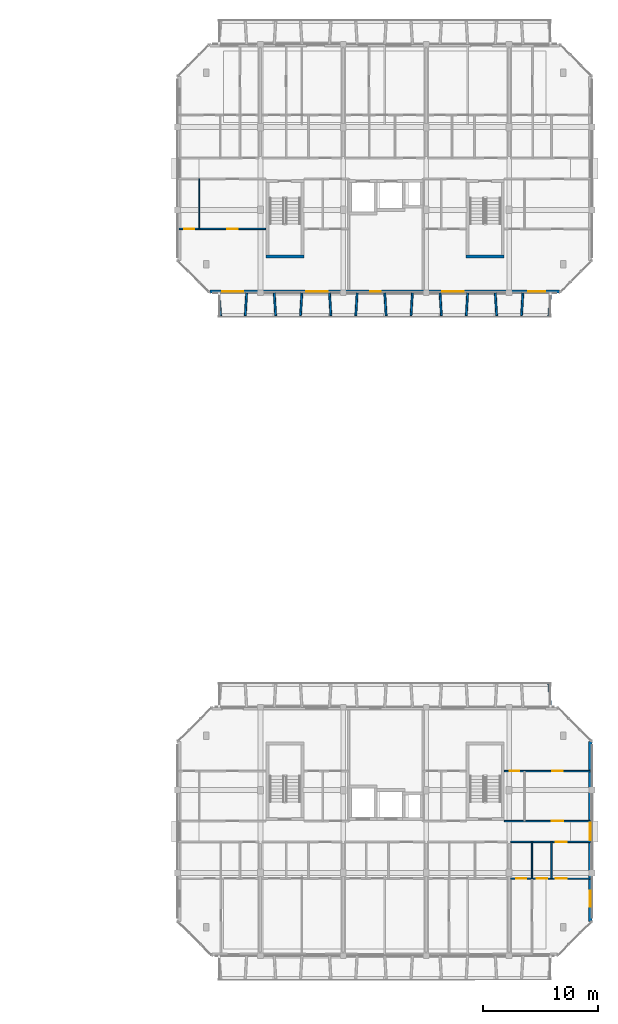
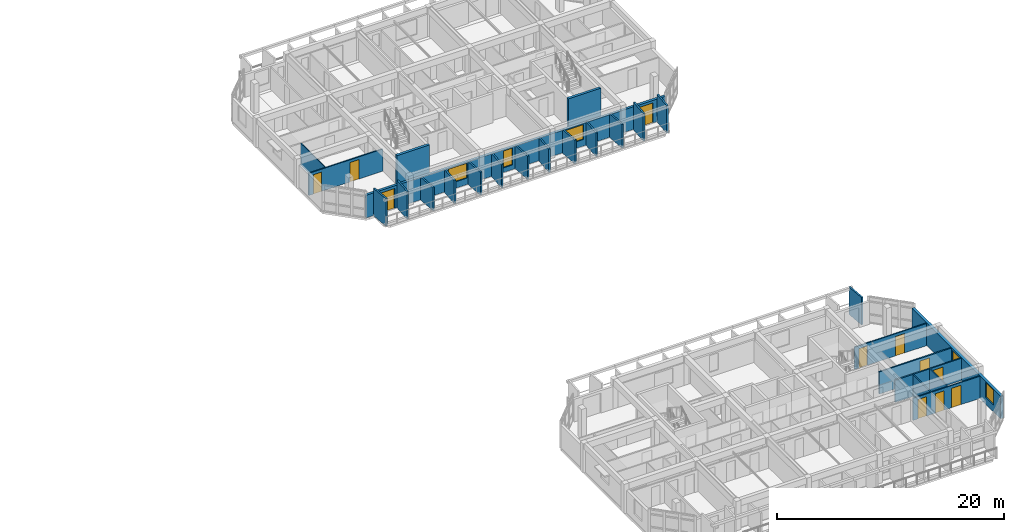
# One storey, part 27 of 46: 26 walls, 11 doors, 5 windows, 16 openings.
"""IFC4 building model written with IfcOpenShell, lengths in metres."""

from ifc_helpers import new_model, si_unit, direction, frame, frame_2d, origin, place, context, subcontext, project, spatial, rectangle, extrude, material, layer, layer_set, type_object, element, fill, save


model = new_model("IFC4")

# Units and contexts
model_context = context("Model", 3, precision=1e-05, world=origin(), true_north=direction((0.0, 1.0)))
body_context = subcontext(model_context, "Body", "Model", "MODEL_VIEW")
ifc_project = project(units=[si_unit("LENGTHUNIT", "METRE"), si_unit("AREAUNIT", "SQUARE_METRE"), si_unit("VOLUMEUNIT", "CUBIC_METRE"), si_unit("PLANEANGLEUNIT", "RADIAN"), si_unit("MASSUNIT", "GRAM", prefix="KILO")], contexts=[model_context])

# Site, building, storey
site_placement = place(None, origin())
site = spatial("IfcSite", under=ifc_project, at=site_placement, CompositionType="ELEMENT")
building_placement = place(site_placement, origin())
building = spatial("IfcBuilding", under=site, at=building_placement, Name="Ochrevale Crest", CompositionType="ELEMENT")
storey_placement = place(building_placement, frame((0.0, 0.0, 24.449951171875)))
storey = spatial("IfcBuildingStorey", under=building, at=storey_placement, Name="L07", CompositionType="ELEMENT", Elevation=24.449951171875)

# Wall, opening, door
ifc_material_1 = material(Name="Gypsum plasterboard", Category="gypsum")
ifc_layer_1 = layer(ifc_material_1, 0.139892578125)
ifc_layer_set_1 = layer_set([ifc_layer_1], Name="Gypsum plasterboard")
wall_type_1 = type_object("IfcWallType", Name="WL-COR-140", PredefinedType="PARTITIONING", material=ifc_layer_set_1)
wall_1_placement = place(storey_placement, frame((158.5400390625, 24.300048828125, 0.0), z_axis=(0.0, 0.0, 1.0), x_axis=(1.0, 0.0, 0.0)))
wall_1 = element("IfcWall", 1, at=wall_1_placement, inside=storey, type_object=wall_type_1, Name="Apartment C-L07-U5 corridor wall", PredefinedType="PARTITIONING", context=body_context, shape_type="SweptSolid", body=[
    extrude(rectangle(XDim=6.919921875, YDim=0.139892578125, at=frame_2d((3.4599609375, 0.0))), origin(), (0.0, 0.0, 1.0), 2.380126953125),
])
opening_1_placement = place(wall_1_placement, frame((4.875, 0.0, 0.0), z_axis=(0.0, 0.0, 1.0), x_axis=(-1.0, 0.0, 0.0)))
opening_1 = element("IfcOpeningElement", 2, at=opening_1_placement, cuts=wall_1, Name="Opening FD01", PredefinedType="OPENING", context=body_context, shape_type="SweptSolid", body=[
    extrude(rectangle(XDim=0.97998046875, YDim=2.10009765625, at=frame_2d((0.489990234375, 1.050048828125))), frame((0.0, 0.080078125, 0.0), z_axis=(0.0, -1.0, 0.0), x_axis=(1.0, 0.0, 0.0)), (0.0, 0.0, 1.0), 0.159912109375),
])
ifc_material_2 = material(Name="Solid-core FSC hardwood", Category="wood")
door_type_1 = type_object("IfcDoorType", Name="DR-APT-950", OperationType="NOTDEFINED", PredefinedType="DOOR", material=ifc_material_2)
door_1_placement = place(opening_1_placement, origin())
door_1 = element("IfcDoor", 3, at=door_1_placement, inside=storey, type_object=door_type_1, Name="Apartment C-L07-U5 entrance door", OperationType="SINGLE_SWING_RIGHT", OverallHeight=2.10009765625, OverallWidth=0.97998046875, PredefinedType="DOOR", context=body_context, shape_type="SweptSolid", body=[
    extrude(rectangle(XDim=0.97998046875, YDim=2.10009765625, at=frame_2d((0.489990234375, 1.050048828125))), frame((0.0, 0.02490234375, 0.0), z_axis=(0.0, -1.0, 0.0), x_axis=(1.0, 0.0, 0.0)), (0.0, 0.0, 1.0), 0.050048828125),
])
fill(opening_1, door_1)

wall_2_placement = place(storey_placement, frame((157.989990234375, 26.10009765625, 0.0), z_axis=(0.0, 0.0, 1.0), x_axis=(1.0, 0.0, 0.0)))
wall_2 = element("IfcWall", 4, at=wall_2_placement, inside=storey, type_object=wall_type_1, Name="Suite C-L07-CE corridor wall", PredefinedType="PARTITIONING", context=body_context, shape_type="SweptSolid", body=[
    extrude(rectangle(XDim=7.469970703125, YDim=0.139892578125, at=frame_2d((3.73486328125, 0.0))), origin(), (0.0, 0.0, 1.0), 2.380126953125),
])
opening_2_placement = place(wall_2_placement, frame((5.10009765625, 0.0, 0.0), z_axis=(0.0, 0.0, 1.0), x_axis=(-1.0, 0.0, 0.0)))
opening_2 = element("IfcOpeningElement", 5, at=opening_2_placement, cuts=wall_2, Name="Opening FD01", PredefinedType="OPENING", context=body_context, shape_type="SweptSolid", body=[
    extrude(rectangle(XDim=0.97998046875, YDim=2.10009765625, at=frame_2d((0.489990234375, 1.050048828125))), frame((0.0, 0.080078125, 0.0), z_axis=(0.0, -1.0, 0.0), x_axis=(1.0, 0.0, 0.0)), (0.0, 0.0, 1.0), 0.159912109375),
])
door_2_placement = place(opening_2_placement, origin())
door_2 = element("IfcDoor", 6, at=door_2_placement, inside=storey, type_object=door_type_1, Name="Suite C-L07-CE entrance door", OperationType="SINGLE_SWING_RIGHT", OverallHeight=2.10009765625, OverallWidth=0.97998046875, PredefinedType="DOOR", context=body_context, shape_type="SweptSolid", body=[
    extrude(rectangle(XDim=0.97998046875, YDim=2.10009765625, at=frame_2d((0.489990234375, 1.050048828125))), frame((0.0, 0.02490234375, 0.0), z_axis=(0.0, -1.0, 0.0), x_axis=(1.0, 0.0, 0.0)), (0.0, 0.0, 1.0), 0.050048828125),
])
fill(opening_2, door_2)

# Walls
ifc_material_3 = material(Name="Precast concrete C50/60", Category="concrete")
ifc_layer_2 = layer(ifc_material_3, 0.2548828125)
ifc_layer_set_2 = layer_set([ifc_layer_2], Name="Precast concrete C50/60")
wall_type_2 = type_object("IfcWallType", Name="WL-CORE-255", PredefinedType="SHEAR", material=ifc_layer_set_2)
for number, where, z_axis, x_axis, name in (
    (7, (137.2724609375, 75.14990234375, 0.0), (0.0, 0.0, 1.0), (1.0, 0.0, 0.0), "Block D L07 Stair 1 precast core shear wall S"),
    (8, (154.672607421875, 75.14990234375, 0.0), (0.0, 0.0, 1.0), (1.0, 0.0, 0.0), "Block D L07 Stair 2 precast core shear wall S"),
):
    element("IfcWall", number, at=place(storey_placement, frame(where, z_axis=z_axis, x_axis=x_axis)), inside=storey, type_object=wall_type_2, Name=name, PredefinedType="SHEAR", context=body_context, shape_type="SweptSolid", body=[
        extrude(rectangle(XDim=3.304931640625, YDim=0.2548828125, at=frame_2d((1.65234375, 0.0))), origin(), (0.0, 0.0, 1.0), 3.150146484375),
    ])

# Wall, openings, windows
ifc_material_4 = material(Name="Clay face brickwork", Category="masonry")
ifc_layer_3 = layer(ifc_material_4, 0.2900390625)
ifc_layer_set_3 = layer_set([ifc_layer_3], Name="Clay face brickwork")
wall_type_3 = type_object("IfcWallType", Name="WL-EXT-BRICK-290", PredefinedType="SOLIDWALL", material=ifc_layer_set_3)
wall_3_placement = place(storey_placement, frame((165.455078125, 17.39990234375, 0.0), z_axis=(0.0, 0.0, 1.0), x_axis=(0.0, 1.0, 0.0)))
wall_3 = element("IfcWall", 9, at=wall_3_placement, inside=storey, type_object=wall_type_3, Name="Block C L07 external facade wall E3", PredefinedType="SOLIDWALL", context=body_context, shape_type="SweptSolid", body=[
    extrude(rectangle(XDim=15.60009765625, YDim=0.2900390625, at=frame_2d((7.800048828125, 0.0))), origin(), (0.0, 0.0, 1.0), 2.429931640625),
])
opening_3_placement = place(wall_3_placement, frame((7.050048828125, 0.0, 1.050048828125)))
opening_3 = element("IfcOpeningElement", 10, at=opening_3_placement, cuts=wall_3, Name="Opening W18", PredefinedType="OPENING", context=body_context, shape_type="SweptSolid", body=[
    extrude(rectangle(XDim=1.5, YDim=1.14990234375, at=frame_2d((0.75, 0.574951171875))), frame((0.0, 0.155029296875, 0.0), z_axis=(0.0, -1.0, 0.0), x_axis=(1.0, 0.0, 0.0)), (0.0, 0.0, 1.0), 0.31005859375),
])
opening_4_placement = place(wall_3_placement, frame((1.2548828125, 0.0, 0.719970703125)))
opening_4 = element("IfcOpeningElement", 11, at=opening_4_placement, cuts=wall_3, Name="Opening W31", PredefinedType="OPENING", context=body_context, shape_type="SweptSolid", body=[
    extrude(rectangle(XDim=1.419921875, YDim=1.60009765625, at=frame_2d((0.7099609375, 0.800048828125))), frame((0.0, 0.155029296875, 0.0), z_axis=(0.0, -1.0, 0.0), x_axis=(1.0, 0.0, 0.0)), (0.0, 0.0, 1.0), 0.31005859375),
])
ifc_material_5 = material(Name="Anodised aluminium 6063-T5 and low-E double glazing", Category="aluminium")
window_type_1 = type_object("IfcWindowType", Name="WIN-W18", PartitioningType="SINGLE_PANEL", PredefinedType="WINDOW", material=ifc_material_5)
window_1_placement = place(opening_3_placement, origin())
window_1 = element("IfcWindow", 12, at=window_1_placement, inside=storey, type_object=window_type_1, Name="Block C L07 corridor end daylight window E", OverallHeight=1.14990234375, OverallWidth=1.5, PartitioningType="SINGLE_PANEL", PredefinedType="WINDOW", context=body_context, shape_type="SweptSolid", body=[
    extrude(rectangle(XDim=1.5, YDim=1.14990234375, at=frame_2d((0.75, 0.574951171875))), frame((0.0, 0.030029296875, 0.0), z_axis=(0.0, -1.0, 0.0), x_axis=(1.0, 0.0, 0.0)), (0.0, 0.0, 1.0), 0.06005859375),
])
fill(opening_3, window_1)
window_type_2 = type_object("IfcWindowType", Name="WIN-W31", PartitioningType="SINGLE_PANEL", PredefinedType="WINDOW", material=ifc_material_5)
window_2_placement = place(opening_4_placement, origin())
window_2 = element("IfcWindow", 13, at=window_2_placement, inside=storey, type_object=window_type_2, Name="Block C L07 side suite window E", OverallHeight=1.60009765625, OverallWidth=1.419921875, PartitioningType="SINGLE_PANEL", PredefinedType="WINDOW", context=body_context, shape_type="SweptSolid", body=[
    extrude(rectangle(XDim=1.419921875, YDim=1.60009765625, at=frame_2d((0.7099609375, 0.800048828125))), frame((0.0, 0.030029296875, 0.0), z_axis=(0.0, -1.0, 0.0), x_axis=(1.0, 0.0, 0.0)), (0.0, 0.0, 1.0), 0.06005859375),
])
fill(opening_4, window_2)

# Wall, openings, doors, windows
ifc_material_6 = material(Name="Precast concrete C40/50", Category="concrete")
ifc_layer_4 = layer(ifc_material_6, 0.25)
ifc_layer_set_4 = layer_set([ifc_layer_4], Name="Precast concrete C40/50")
wall_type_4 = type_object("IfcWallType", Name="WL-EXT-GOLD-250", PredefinedType="SOLIDWALL", material=ifc_layer_set_4)
wall_4_placement = place(storey_placement, frame((132.39990234375, 72.125, 0.0), z_axis=(0.0, 0.0, 1.0), x_axis=(1.0, 0.0, 0.0)))
wall_4 = element("IfcWall", 14, at=wall_4_placement, inside=storey, type_object=wall_type_4, Name="Block D L07 external facade wall E1", PredefinedType="SOLIDWALL", context=body_context, shape_type="SweptSolid", body=[
    extrude(rectangle(XDim=30.400146484375, YDim=0.25, at=frame_2d((15.2001953125, 0.0))), origin(), (0.0, 0.0, 1.0), 2.429931640625),
])
opening_5_placement = place(wall_4_placement, frame((2.900146484375, 0.0, 0.0), z_axis=(0.0, 0.0, 1.0), x_axis=(-1.0, 0.0, 0.0)))
opening_5 = element("IfcOpeningElement", 15, at=opening_5_placement, cuts=wall_4, Name="Opening BD03", PredefinedType="OPENING", context=body_context, shape_type="SweptSolid", body=[
    extrude(rectangle(XDim=1.800048828125, YDim=2.14990234375, at=frame_2d((0.89990234375, 1.074951171875))), frame((0.0, 0.135009765625, 0.0), z_axis=(0.0, -1.0, 0.0), x_axis=(1.0, 0.0, 0.0)), (0.0, 0.0, 1.0), 0.27001953125),
])
opening_6_placement = place(wall_4_placement, frame((29.14990234375, 0.0, 0.0), z_axis=(0.0, 0.0, 1.0), x_axis=(-1.0, 0.0, 0.0)))
opening_6 = element("IfcOpeningElement", 16, at=opening_6_placement, cuts=wall_4, Name="Opening BD01", PredefinedType="OPENING", context=body_context, shape_type="SweptSolid", body=[
    extrude(rectangle(XDim=1.5, YDim=2.14990234375, at=frame_2d((0.75, 1.074951171875))), frame((0.0, 0.135009765625, 0.0), z_axis=(0.0, -1.0, 0.0), x_axis=(1.0, 0.0, 0.0)), (0.0, 0.0, 1.0), 0.27001953125),
])
opening_7_placement = place(wall_4_placement, frame((13.945068359375, 0.0, 0.5)))
opening_7 = element("IfcOpeningElement", 17, at=opening_7_placement, cuts=wall_4, Name="Opening W17", PredefinedType="OPENING", context=body_context, shape_type="SweptSolid", body=[
    extrude(rectangle(XDim=0.89990234375, YDim=1.800048828125, at=frame_2d((0.449951171875, 0.89990234375))), frame((0.0, 0.135009765625, 0.0), z_axis=(0.0, -1.0, 0.0), x_axis=(1.0, 0.0, 0.0)), (0.0, 0.0, 1.0), 0.27001953125),
])
opening_8_placement = place(wall_4_placement, frame((20.195068359375, 0.0, 0.699951171875)))
opening_8 = element("IfcOpeningElement", 18, at=opening_8_placement, cuts=wall_4, Name="Opening W11", PredefinedType="OPENING", context=body_context, shape_type="SweptSolid", body=[
    extrude(rectangle(XDim=1.860107421875, YDim=1.60009765625, at=frame_2d((0.93017578125, 0.800048828125))), frame((0.0, 0.135009765625, 0.0), z_axis=(0.0, -1.0, 0.0), x_axis=(1.0, 0.0, 0.0)), (0.0, 0.0, 1.0), 0.27001953125),
])
opening_9_placement = place(wall_4_placement, frame((8.3701171875, 0.0, 0.699951171875)))
opening_9 = element("IfcOpeningElement", 19, at=opening_9_placement, cuts=wall_4, Name="Opening W11", PredefinedType="OPENING", context=body_context, shape_type="SweptSolid", body=[
    extrude(rectangle(XDim=1.860107421875, YDim=1.60009765625, at=frame_2d((0.93017578125, 0.800048828125))), frame((0.0, 0.135009765625, 0.0), z_axis=(0.0, -1.0, 0.0), x_axis=(1.0, 0.0, 0.0)), (0.0, 0.0, 1.0), 0.27001953125),
])
ifc_material_7 = material(Name="Anodised aluminium 6063-T5 and toughened glass", Category="aluminium")
door_type_2 = type_object("IfcDoorType", Name="DR-BAL-1500", OperationType="NOTDEFINED", PredefinedType="DOOR", material=ifc_material_7)
door_3_placement = place(opening_6_placement, origin())
door_3 = element("IfcDoor", 20, at=door_3_placement, inside=storey, type_object=door_type_2, Name="Block D L07 balcony door S5", OperationType="SINGLE_SWING_RIGHT", OverallHeight=2.14990234375, OverallWidth=1.5, PredefinedType="DOOR", context=body_context, shape_type="SweptSolid", body=[
    extrude(rectangle(XDim=1.5, YDim=2.14990234375, at=frame_2d((0.75, 1.074951171875))), frame((0.0, 0.02490234375, 0.0), z_axis=(0.0, -1.0, 0.0), x_axis=(1.0, 0.0, 0.0)), (0.0, 0.0, 1.0), 0.050048828125),
])
fill(opening_6, door_3)
door_type_3 = type_object("IfcDoorType", Name="DR-BAL-1800", OperationType="NOTDEFINED", PredefinedType="DOOR", material=ifc_material_7)
door_4_placement = place(opening_5_placement, origin())
door_4 = element("IfcDoor", 21, at=door_4_placement, inside=storey, type_object=door_type_3, Name="Block D L07 balcony door S1", OperationType="SINGLE_SWING_LEFT", OverallHeight=2.14990234375, OverallWidth=1.800048828125, PredefinedType="DOOR", context=body_context, shape_type="SweptSolid", body=[
    extrude(rectangle(XDim=1.800048828125, YDim=2.14990234375, at=frame_2d((0.89990234375, 1.074951171875))), frame((0.0, 0.02490234375, 0.0), z_axis=(0.0, -1.0, 0.0), x_axis=(1.0, 0.0, 0.0)), (0.0, 0.0, 1.0), 0.050048828125),
])
fill(opening_5, door_4)
window_type_3 = type_object("IfcWindowType", Name="WIN-W11", PartitioningType="SINGLE_PANEL", PredefinedType="WINDOW", material=ifc_material_5)
window_3_placement = place(opening_8_placement, origin())
window_3 = element("IfcWindow", 22, at=window_3_placement, inside=storey, type_object=window_type_3, Name="Block D L07 Suite D-L07-ME Garden Alcove Studio window", OverallHeight=1.60009765625, OverallWidth=1.860107421875, PartitioningType="SINGLE_PANEL", PredefinedType="WINDOW", context=body_context, shape_type="SweptSolid", body=[
    extrude(rectangle(XDim=1.860107421875, YDim=1.60009765625, at=frame_2d((0.93017578125, 0.800048828125))), frame((0.0, 0.030029296875, 0.0), z_axis=(0.0, -1.0, 0.0), x_axis=(1.0, 0.0, 0.0)), (0.0, 0.0, 1.0), 0.06005859375),
])
fill(opening_8, window_3)
window_4_placement = place(opening_9_placement, origin())
window_4 = element("IfcWindow", 23, at=window_4_placement, inside=storey, type_object=window_type_3, Name="Block D L07 Suite D-L07-MW Courtyard Studio Living window", OverallHeight=1.60009765625, OverallWidth=1.860107421875, PartitioningType="SINGLE_PANEL", PredefinedType="WINDOW", context=body_context, shape_type="SweptSolid", body=[
    extrude(rectangle(XDim=1.860107421875, YDim=1.60009765625, at=frame_2d((0.93017578125, 0.800048828125))), frame((0.0, 0.030029296875, 0.0), z_axis=(0.0, -1.0, 0.0), x_axis=(1.0, 0.0, 0.0)), (0.0, 0.0, 1.0), 0.06005859375),
])
fill(opening_9, window_4)
window_type_4 = type_object("IfcWindowType", Name="WIN-W17", PartitioningType="SINGLE_PANEL", PredefinedType="WINDOW", material=ifc_material_5)
window_5_placement = place(opening_7_placement, origin())
window_5 = element("IfcWindow", 24, at=window_5_placement, inside=storey, type_object=window_type_4, Name="Block D L07 core lancet window", OverallHeight=1.800048828125, OverallWidth=0.89990234375, PartitioningType="SINGLE_PANEL", PredefinedType="WINDOW", context=body_context, shape_type="SweptSolid", body=[
    extrude(rectangle(XDim=0.89990234375, YDim=1.800048828125, at=frame_2d((0.449951171875, 0.89990234375))), frame((0.0, 0.030029296875, 0.0), z_axis=(0.0, -1.0, 0.0), x_axis=(1.0, 0.0, 0.0)), (0.0, 0.0, 1.0), 0.06005859375),
])
fill(opening_7, window_5)

# Walls
ifc_layer_5 = layer(ifc_material_6, 0.1650390625)
ifc_layer_set_5 = layer_set([ifc_layer_5], Name="Precast concrete C40/50")
wall_type_5 = type_object("IfcWallType", Name="WL-HC-CHEEK-165", PredefinedType="ELEMENTEDWALL", material=ifc_layer_set_5)
for number, where, z_axis, x_axis, name in (
    (25, (162.0, 36.02001953125, 0.0), (0.0, 0.0, 1.0), (-0.071194071069, 0.997462482625, 0.0), "Block C L07 N precast honeycomb cheek 13"),
    (26, (133.199951171875, 71.97998046875, 0.0), (0.0, 0.0, 1.0), (0.071317687608, -0.997453651772, 0.0), "Block D L07 S precast honeycomb cheek 1"),
):
    element("IfcWall", number, at=place(storey_placement, frame(where, z_axis=z_axis, x_axis=x_axis)), inside=storey, type_object=wall_type_5, Name=name, PredefinedType="ELEMENTEDWALL", context=body_context, shape_type="SweptSolid", body=[
        extrude(rectangle(XDim=1.96484375, YDim=0.1650390625, at=frame_2d((0.982421875, 0.0))), origin(), (0.0, 0.0, 1.0), 2.949951171875),
    ])
wall_5_placement = place(storey_placement, frame((135.60009765625, 71.97998046875, 0.0), z_axis=(0.0, 0.0, 1.0), x_axis=(-0.061170732449, -0.998127317276, 0.0)))
element("IfcWall", 27, at=wall_5_placement, inside=storey, type_object=wall_type_5, Name="Block D L07 S precast honeycomb cheek 2", PredefinedType="ELEMENTEDWALL", context=body_context, shape_type="SweptSolid", body=[
    extrude(rectangle(XDim=1.963623046875, YDim=0.1650390625, at=frame_2d((0.98193359375, 0.0))), origin(), (0.0, 0.0, 1.0), 2.949951171875),
])
for number, where, z_axis, x_axis, name in (
    (28, (138.0, 71.97998046875, 0.0), (0.0, 0.0, 1.0), (0.061170732449, -0.998127317276, 0.0), "Block D L07 S precast honeycomb cheek 3"),
    (29, (140.39990234375, 71.97998046875, 0.0), (0.0, 0.0, 1.0), (-0.061046865508, -0.998134900808, 0.0), "Block D L07 S precast honeycomb cheek 4"),
    (30, (142.800048828125, 71.97998046875, 0.0), (0.0, 0.0, 1.0), (0.061046865508, -0.998134900808, 0.0), "Block D L07 S precast honeycomb cheek 5"),
):
    element("IfcWall", number, at=place(storey_placement, frame(where, z_axis=z_axis, x_axis=x_axis)), inside=storey, type_object=wall_type_5, Name=name, PredefinedType="ELEMENTEDWALL", context=body_context, shape_type="SweptSolid", body=[
        extrude(rectangle(XDim=1.963623046875, YDim=0.1650390625, at=frame_2d((0.98193359375, 0.0))), origin(), (0.0, 0.0, 1.0), 2.449951171875),
    ])
for number, where, z_axis, x_axis, name in (
    (31, (145.199951171875, 71.97998046875, 0.0), (0.0, 0.0, 1.0), (-0.061046865508, -0.998134900808, 0.0), "Block D L07 S precast honeycomb cheek 6"),
    (32, (147.60009765625, 71.97998046875, 0.0), (0.0, 0.0, 1.0), (0.061046865508, -0.998134900808, 0.0), "Block D L07 S precast honeycomb cheek 7"),
    (33, (150.0, 71.97998046875, 0.0), (0.0, 0.0, 1.0), (-0.061170732449, -0.998127317276, 0.0), "Block D L07 S precast honeycomb cheek 8"),
):
    element("IfcWall", number, at=place(storey_placement, frame(where, z_axis=z_axis, x_axis=x_axis)), inside=storey, type_object=wall_type_5, Name=name, PredefinedType="ELEMENTEDWALL", context=body_context, shape_type="SweptSolid", body=[
        extrude(rectangle(XDim=1.963623046875, YDim=0.1650390625, at=frame_2d((0.98193359375, 0.0))), origin(), (0.0, 0.0, 1.0), 2.47998046875),
    ])
for number, where, z_axis, x_axis, name in (
    (34, (152.39990234375, 71.97998046875, 0.0), (0.0, 0.0, 1.0), (0.061170732449, -0.998127317276, 0.0), "Block D L07 S precast honeycomb cheek 9"),
    (35, (154.800048828125, 71.97998046875, 0.0), (0.0, 0.0, 1.0), (-0.061170732449, -0.998127317276, 0.0), "Block D L07 S precast honeycomb cheek 10"),
    (36, (157.199951171875, 71.97998046875, 0.0), (0.0, 0.0, 1.0), (0.061170732449, -0.998127317276, 0.0), "Block D L07 S precast honeycomb cheek 11"),
):
    element("IfcWall", number, at=place(storey_placement, frame(where, z_axis=z_axis, x_axis=x_axis)), inside=storey, type_object=wall_type_5, Name=name, PredefinedType="ELEMENTEDWALL", context=body_context, shape_type="SweptSolid", body=[
        extrude(rectangle(XDim=1.963623046875, YDim=0.1650390625, at=frame_2d((0.98193359375, 0.0))), origin(), (0.0, 0.0, 1.0), 2.530029296875),
    ])
wall_6_placement = place(storey_placement, frame((159.60009765625, 71.97998046875, 0.0), z_axis=(0.0, 0.0, 1.0), x_axis=(-0.061170732449, -0.998127317276, 0.0)))
element("IfcWall", 37, at=wall_6_placement, inside=storey, type_object=wall_type_5, Name="Block D L07 S precast honeycomb cheek 12", PredefinedType="ELEMENTEDWALL", context=body_context, shape_type="SweptSolid", body=[
    extrude(rectangle(XDim=1.963623046875, YDim=0.1650390625, at=frame_2d((0.98193359375, 0.0))), origin(), (0.0, 0.0, 1.0), 2.949951171875),
])
wall_7_placement = place(storey_placement, frame((162.0, 71.97998046875, 0.0), z_axis=(0.0, 0.0, 1.0), x_axis=(-0.071194071069, -0.997462482625, 0.0)))
element("IfcWall", 38, at=wall_7_placement, inside=storey, type_object=wall_type_5, Name="Block D L07 S precast honeycomb cheek 13", PredefinedType="ELEMENTEDWALL", context=body_context, shape_type="SweptSolid", body=[
    extrude(rectangle(XDim=1.96484375, YDim=0.1650390625, at=frame_2d((0.982421875, 0.0))), origin(), (0.0, 0.0, 1.0), 2.949951171875),
])
ifc_layer_6 = layer(ifc_material_1, 0.1201171875)
ifc_layer_set_6 = layer_set([ifc_layer_6], Name="Gypsum plasterboard")
wall_type_6 = type_object("IfcWallType", Name="WL-PART-120", PredefinedType="PARTITIONING", material=ifc_layer_set_6)
wall_8_placement = place(storey_placement, frame((162.10009765625, 21.10009765625, 0.0), z_axis=(0.0, 0.0, 1.0), x_axis=(0.0, 1.0, 0.0)))
element("IfcWall", 39, at=wall_8_placement, inside=storey, type_object=wall_type_6, Name="Apartment C-L07-U5 kitchen-foyer wall", PredefinedType="PARTITIONING", context=body_context, shape_type="SweptSolid", body=[
    extrude(rectangle(XDim=3.199951171875, YDim=0.1201171875, at=frame_2d((1.60009765625, 0.0))), origin(), (0.0, 0.0, 1.0), 2.380126953125),
])

# Wall, openings, doors
wall_9_placement = place(storey_placement, frame((158.5400390625, 21.10009765625, 0.0), z_axis=(0.0, 0.0, 1.0), x_axis=(1.0, 0.0, 0.0)))
wall_9 = element("IfcWall", 40, at=wall_9_placement, inside=storey, type_object=wall_type_6, Name="Apartment C-L07-U5 central partition", PredefinedType="PARTITIONING", context=body_context, shape_type="SweptSolid", body=[
    extrude(rectangle(XDim=6.919921875, YDim=0.1201171875, at=frame_2d((3.4599609375, 0.0))), origin(), (0.0, 0.0, 1.0), 2.380126953125),
])
opening_10_placement = place(wall_9_placement, frame((0.5, 0.0, 0.0)))
opening_10 = element("IfcOpeningElement", 41, at=opening_10_placement, cuts=wall_9, Name="Opening ID01", PredefinedType="OPENING", context=body_context, shape_type="SweptSolid", body=[
    extrude(rectangle(XDim=0.85009765625, YDim=2.080078125, at=frame_2d((0.425048828125, 1.0400390625))), frame((0.0, 0.070068359375, 0.0), z_axis=(0.0, -1.0, 0.0), x_axis=(1.0, 0.0, 0.0)), (0.0, 0.0, 1.0), 0.14013671875),
])
opening_11_placement = place(wall_9_placement, frame((3.15478515625, 0.0, 0.0), z_axis=(0.0, 0.0, 1.0), x_axis=(-1.0, 0.0, 0.0)))
opening_11 = element("IfcOpeningElement", 42, at=opening_11_placement, cuts=wall_9, Name="Opening ID02", PredefinedType="OPENING", context=body_context, shape_type="SweptSolid", body=[
    extrude(rectangle(XDim=0.89990234375, YDim=2.080078125, at=frame_2d((0.449951171875, 1.0400390625))), frame((0.0, 0.070068359375, 0.0), z_axis=(0.0, -1.0, 0.0), x_axis=(1.0, 0.0, 0.0)), (0.0, 0.0, 1.0), 0.14013671875),
])
opening_12_placement = place(wall_9_placement, frame((3.909912109375, 0.0, 0.0)))
opening_12 = element("IfcOpeningElement", 43, at=opening_12_placement, cuts=wall_9, Name="Opening ID06", PredefinedType="OPENING", context=body_context, shape_type="SweptSolid", body=[
    extrude(rectangle(XDim=0.949951171875, YDim=2.080078125, at=frame_2d((0.47509765625, 1.0400390625))), frame((0.0, 0.070068359375, 0.0), z_axis=(0.0, -1.0, 0.0), x_axis=(1.0, 0.0, 0.0)), (0.0, 0.0, 1.0), 0.14013671875),
])
door_type_4 = type_object("IfcDoorType", Name="DR-INT-900", OperationType="NOTDEFINED", PredefinedType="DOOR", material=ifc_material_2)
door_5_placement = place(opening_11_placement, origin())
door_5 = element("IfcDoor", 44, at=door_5_placement, inside=storey, type_object=door_type_4, Name="Apartment C-L07-U5 Kitchen door", OperationType="SINGLE_SWING_RIGHT", OverallHeight=2.080078125, OverallWidth=0.89990234375, PredefinedType="DOOR", context=body_context, shape_type="SweptSolid", body=[
    extrude(rectangle(XDim=0.89990234375, YDim=2.080078125, at=frame_2d((0.449951171875, 1.0400390625))), frame((0.0, 0.02490234375, 0.0), z_axis=(0.0, -1.0, 0.0), x_axis=(1.0, 0.0, 0.0)), (0.0, 0.0, 1.0), 0.050048828125),
])
fill(opening_11, door_5)
door_type_5 = type_object("IfcDoorType", Name="DR-INT-950", OperationType="NOTDEFINED", PredefinedType="DOOR", material=ifc_material_2)
door_6_placement = place(opening_12_placement, origin())
door_6 = element("IfcDoor", 45, at=door_6_placement, inside=storey, type_object=door_type_5, Name="Apartment C-L07-U5 Living Foyer door", OperationType="SINGLE_SWING_LEFT", OverallHeight=2.080078125, OverallWidth=0.949951171875, PredefinedType="DOOR", context=body_context, shape_type="SweptSolid", body=[
    extrude(rectangle(XDim=0.949951171875, YDim=2.080078125, at=frame_2d((0.47509765625, 1.0400390625))), frame((0.0, 0.02490234375, 0.0), z_axis=(0.0, -1.0, 0.0), x_axis=(1.0, 0.0, 0.0)), (0.0, 0.0, 1.0), 0.050048828125),
])
fill(opening_12, door_6)
door_type_6 = type_object("IfcDoorType", Name="DR-WC-850", OperationType="NOTDEFINED", PredefinedType="DOOR", material=ifc_material_2)
door_7_placement = place(opening_10_placement, origin())
door_7 = element("IfcDoor", 46, at=door_7_placement, inside=storey, type_object=door_type_6, Name="Apartment C-L07-U5 Bathroom door", OperationType="SINGLE_SWING_LEFT", OverallHeight=2.080078125, OverallWidth=0.85009765625, PredefinedType="DOOR", context=body_context, shape_type="SweptSolid", body=[
    extrude(rectangle(XDim=0.85009765625, YDim=2.080078125, at=frame_2d((0.425048828125, 1.0400390625))), frame((0.0, 0.02490234375, 0.0), z_axis=(0.0, -1.0, 0.0), x_axis=(1.0, 0.0, 0.0)), (0.0, 0.0, 1.0), 0.050048828125),
])
fill(opening_10, door_7)

wall_10_placement = place(storey_placement, frame((157.989990234375, 30.449951171875, 0.0), z_axis=(0.0, 0.0, 1.0), x_axis=(1.0, 0.0, 0.0)))
wall_10 = element("IfcWall", 47, at=wall_10_placement, inside=storey, type_object=wall_type_6, Name="Suite C-L07-CE internal wall", PredefinedType="PARTITIONING", context=body_context, shape_type="SweptSolid", body=[
    extrude(rectangle(XDim=7.469970703125, YDim=0.1201171875, at=frame_2d((3.73486328125, 0.0))), origin(), (0.0, 0.0, 1.0), 2.380126953125),
])
opening_13_placement = place(wall_10_placement, frame((0.449951171875, 0.0, 0.0)))
opening_13 = element("IfcOpeningElement", 48, at=opening_13_placement, cuts=wall_10, Name="Opening ID01", PredefinedType="OPENING", context=body_context, shape_type="SweptSolid", body=[
    extrude(rectangle(XDim=0.85009765625, YDim=2.080078125, at=frame_2d((0.425048828125, 1.0400390625))), frame((0.0, 0.070068359375, 0.0), z_axis=(0.0, -1.0, 0.0), x_axis=(1.0, 0.0, 0.0)), (0.0, 0.0, 1.0), 0.14013671875),
])
opening_14_placement = place(wall_10_placement, frame((5.06982421875, 0.0, 0.0), z_axis=(0.0, 0.0, 1.0), x_axis=(-1.0, 0.0, 0.0)))
opening_14 = element("IfcOpeningElement", 49, at=opening_14_placement, cuts=wall_10, Name="Opening ID04", PredefinedType="OPENING", context=body_context, shape_type="SweptSolid", body=[
    extrude(rectangle(XDim=0.919921875, YDim=2.080078125, at=frame_2d((0.4599609375, 1.0400390625))), frame((0.0, 0.070068359375, 0.0), z_axis=(0.0, -1.0, 0.0), x_axis=(1.0, 0.0, 0.0)), (0.0, 0.0, 1.0), 0.14013671875),
])
door_type_7 = type_object("IfcDoorType", Name="DR-INT-920", OperationType="NOTDEFINED", PredefinedType="DOOR", material=ifc_material_2)
door_8_placement = place(opening_14_placement, origin())
door_8 = element("IfcDoor", 50, at=door_8_placement, inside=storey, type_object=door_type_7, Name="Suite C-L07-CE Master Bedroom door", OperationType="SINGLE_SWING_RIGHT", OverallHeight=2.080078125, OverallWidth=0.919921875, PredefinedType="DOOR", context=body_context, shape_type="SweptSolid", body=[
    extrude(rectangle(XDim=0.919921875, YDim=2.080078125, at=frame_2d((0.4599609375, 1.0400390625))), frame((0.0, 0.02490234375, 0.0), z_axis=(0.0, -1.0, 0.0), x_axis=(1.0, 0.0, 0.0)), (0.0, 0.0, 1.0), 0.050048828125),
])
fill(opening_14, door_8)
door_9_placement = place(opening_13_placement, origin())
door_9 = element("IfcDoor", 51, at=door_9_placement, inside=storey, type_object=door_type_6, Name="Suite C-L07-CE Bathroom door", OperationType="SINGLE_SWING_LEFT", OverallHeight=2.080078125, OverallWidth=0.85009765625, PredefinedType="DOOR", context=body_context, shape_type="SweptSolid", body=[
    extrude(rectangle(XDim=0.85009765625, YDim=2.080078125, at=frame_2d((0.425048828125, 1.0400390625))), frame((0.0, 0.02490234375, 0.0), z_axis=(0.0, -1.0, 0.0), x_axis=(1.0, 0.0, 0.0)), (0.0, 0.0, 1.0), 0.050048828125),
])
fill(opening_13, door_9)

wall_11_placement = place(storey_placement, frame((129.739990234375, 77.550048828125, 0.0), z_axis=(0.0, 0.0, 1.0), x_axis=(1.0, 0.0, 0.0)))
wall_11 = element("IfcWall", 52, at=wall_11_placement, inside=storey, type_object=wall_type_6, Name="Suite D-L07-CW internal wall", PredefinedType="PARTITIONING", context=body_context, shape_type="SweptSolid", body=[
    extrude(rectangle(XDim=7.52001953125, YDim=0.1201171875, at=frame_2d((3.760009765625, 0.0))), origin(), (0.0, 0.0, 1.0), 2.380126953125),
])
opening_15_placement = place(wall_11_placement, frame((0.449951171875, 0.0, 0.0)))
opening_15 = element("IfcOpeningElement", 53, at=opening_15_placement, cuts=wall_11, Name="Opening ID01", PredefinedType="OPENING", context=body_context, shape_type="SweptSolid", body=[
    extrude(rectangle(XDim=0.85009765625, YDim=2.080078125, at=frame_2d((0.425048828125, 1.0400390625))), frame((0.0, 0.070068359375, 0.0), z_axis=(0.0, -1.0, 0.0), x_axis=(1.0, 0.0, 0.0)), (0.0, 0.0, 1.0), 0.14013671875),
])
opening_16_placement = place(wall_11_placement, frame((5.094970703125, 0.0, 0.0), z_axis=(0.0, 0.0, 1.0), x_axis=(-1.0, 0.0, 0.0)))
opening_16 = element("IfcOpeningElement", 54, at=opening_16_placement, cuts=wall_11, Name="Opening ID04", PredefinedType="OPENING", context=body_context, shape_type="SweptSolid", body=[
    extrude(rectangle(XDim=0.919921875, YDim=2.080078125, at=frame_2d((0.4599609375, 1.0400390625))), frame((0.0, 0.070068359375, 0.0), z_axis=(0.0, -1.0, 0.0), x_axis=(1.0, 0.0, 0.0)), (0.0, 0.0, 1.0), 0.14013671875),
])
door_10_placement = place(opening_16_placement, origin())
door_10 = element("IfcDoor", 55, at=door_10_placement, inside=storey, type_object=door_type_7, Name="Suite D-L07-CW Garden Alcove Studio door", OperationType="SINGLE_SWING_RIGHT", OverallHeight=2.080078125, OverallWidth=0.919921875, PredefinedType="DOOR", context=body_context, shape_type="SweptSolid", body=[
    extrude(rectangle(XDim=0.919921875, YDim=2.080078125, at=frame_2d((0.4599609375, 1.0400390625))), frame((0.0, 0.02490234375, 0.0), z_axis=(0.0, -1.0, 0.0), x_axis=(1.0, 0.0, 0.0)), (0.0, 0.0, 1.0), 0.050048828125),
])
fill(opening_16, door_10)
door_11_placement = place(opening_15_placement, origin())
door_11 = element("IfcDoor", 56, at=door_11_placement, inside=storey, type_object=door_type_6, Name="Suite D-L07-CW Bathroom door", OperationType="SINGLE_SWING_LEFT", OverallHeight=2.080078125, OverallWidth=0.85009765625, PredefinedType="DOOR", context=body_context, shape_type="SweptSolid", body=[
    extrude(rectangle(XDim=0.85009765625, YDim=2.080078125, at=frame_2d((0.425048828125, 1.0400390625))), frame((0.0, 0.02490234375, 0.0), z_axis=(0.0, -1.0, 0.0), x_axis=(1.0, 0.0, 0.0)), (0.0, 0.0, 1.0), 0.050048828125),
])
fill(opening_15, door_11)

# Walls
ifc_layer_7 = layer(ifc_material_1, 0.10009765625)
ifc_layer_set_7 = layer_set([ifc_layer_7], Name="Gypsum plasterboard")
wall_type_7 = type_object("IfcWallType", Name="WL-WET-100", PredefinedType="PARTITIONING", material=ifc_layer_set_7)
wall_12_placement = place(storey_placement, frame((160.389892578125, 21.10009765625, 0.0), z_axis=(0.0, 0.0, 1.0), x_axis=(0.0, 1.0, 0.0)))
element("IfcWall", 57, at=wall_12_placement, inside=storey, type_object=wall_type_7, Name="Apartment C-L07-U5 bath-kitchen wall", PredefinedType="PARTITIONING", context=body_context, shape_type="SweptSolid", body=[
    extrude(rectangle(XDim=3.199951171875, YDim=0.10009765625, at=frame_2d((1.60009765625, 0.0))), origin(), (0.0, 0.0, 1.0), 2.380126953125),
])
wall_13_placement = place(storey_placement, frame((131.489990234375, 77.550048828125, 0.0), z_axis=(0.0, 0.0, 1.0), x_axis=(0.0, 1.0, 0.0)))
element("IfcWall", 58, at=wall_13_placement, inside=storey, type_object=wall_type_7, Name="Suite D-L07-CW bathroom divider", PredefinedType="PARTITIONING", context=body_context, shape_type="SweptSolid", body=[
    extrude(rectangle(XDim=4.349853515625, YDim=0.10009765625, at=frame_2d((2.1748046875, 0.0))), origin(), (0.0, 0.0, 1.0), 2.380126953125),
])

save(model, "model.ifc")
